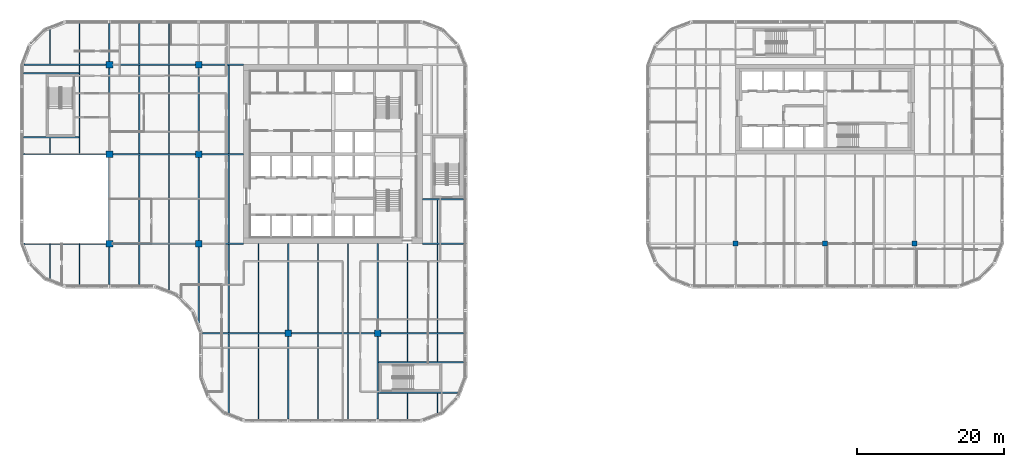
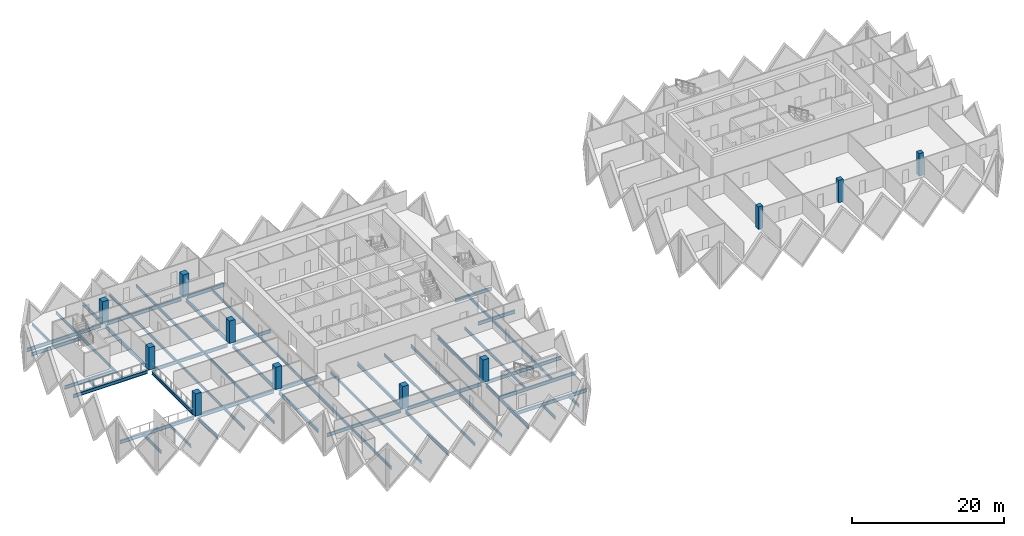
# One storey, part 1 of 19: 60 beams, 11 columns.
"""IFC4 building model written with IfcOpenShell, lengths in metres."""

from ifc_helpers import new_model, si_unit, direction, frame, origin, origin_2d, place, context, subcontext, project, spatial, rectangle, i_section, extrude, material, material_profile, profile_set, type_object, element, save


model = new_model("IFC4")

# Units and contexts
model_context = context("Model", 3, precision=1e-05, world=origin(), true_north=direction((0.0, 1.0)))
body_context = subcontext(model_context, "Body", "Model", "MODEL_VIEW")
ifc_project = project(units=[si_unit("LENGTHUNIT", "METRE"), si_unit("AREAUNIT", "SQUARE_METRE"), si_unit("VOLUMEUNIT", "CUBIC_METRE"), si_unit("PLANEANGLEUNIT", "RADIAN"), si_unit("MASSUNIT", "GRAM", prefix="KILO")], contexts=[model_context])

# Site, building, storey
site_placement = place(None, origin())
site = spatial("IfcSite", under=ifc_project, at=site_placement, CompositionType="ELEMENT")
building_placement = place(site_placement, origin())
building = spatial("IfcBuilding", under=site, at=building_placement, Name="Tessera Gate Towers", CompositionType="ELEMENT")
storey_placement = place(building_placement, frame((0.0, 0.0, 87.60009765625)))
storey = spatial("IfcBuildingStorey", under=building, at=storey_placement, Name="L21", CompositionType="ELEMENT", Elevation=87.60009765625)

# Columns
ifc_material_1 = material(Name="Concrete C70/85", Category="concrete")
ifc_material_profile_1 = material_profile(ifc_material_1, rectangle(XDim=0.699951171875, YDim=0.699951171875, at=origin_2d()), Name="RC 700x700")
ifc_profile_set_1 = profile_set([ifc_material_profile_1], Name="Concrete C70/85")
column_type_1 = type_object("IfcColumnType", Name="COLUMN RC 700x700", PredefinedType="COLUMN", material=ifc_profile_set_1)
for number, where, z_axis, x_axis, name in (
    (1, (97.60009765625, 24.39990234375, 0.0), (0.0, 0.0, 1.0), (1.0, 0.0, 0.0), "T2-COL-9C-L21"),
    (2, (109.800048828125, 24.39990234375, 0.0), (0.0, 0.0, 1.0), (1.0, 0.0, 0.0), "T2-COL-10C-L21"),
    (3, (122.0, 24.39990234375, 0.0), (0.0, 0.0, 1.0), (1.0, 0.0, 0.0), "T2-COL-11C-L21"),
):
    element("IfcColumn", number, at=place(storey_placement, frame(where, z_axis=z_axis, x_axis=x_axis)), inside=storey, type_object=column_type_1, Name=name, PredefinedType="COLUMN", context=body_context, shape_type="SweptSolid", body=[
        extrude(rectangle(XDim=0.699951171875, YDim=0.699951171875, at=origin_2d()), origin(), (0.0, 0.0, 1.0), 3.599853515625),
    ])
ifc_material_2 = material(Name="Concrete C70/85", Category="concrete")
ifc_material_profile_2 = material_profile(ifc_material_2, rectangle(XDim=0.89990234375, YDim=0.89990234375, at=origin_2d()), Name="RC 900x900")
ifc_profile_set_2 = profile_set([ifc_material_profile_2], Name="Concrete C70/85")
column_type_2 = type_object("IfcColumnType", Name="COLUMN RC 900x900", PredefinedType="COLUMN", material=ifc_profile_set_2)
for number, where, z_axis, x_axis, name in (
    (4, (12.199951171875, 24.39990234375, 0.0), (0.0, 0.0, 1.0), (1.0, 0.0, 0.0), "T1-COL-2C-L21"),
    (5, (12.199951171875, 36.60009765625, 0.0), (0.0, 0.0, 1.0), (1.0, 0.0, 0.0), "T1-COL-2D-L21"),
    (6, (12.199951171875, 48.800048828125, 0.0), (0.0, 0.0, 1.0), (1.0, 0.0, 0.0), "T1-COL-2E-L21"),
    (7, (24.39990234375, 24.39990234375, 0.0), (0.0, 0.0, 1.0), (1.0, 0.0, 0.0), "T1-COL-3C-L21"),
    (8, (24.39990234375, 36.60009765625, 0.0), (0.0, 0.0, 1.0), (1.0, 0.0, 0.0), "T1-COL-3D-L21"),
    (9, (24.39990234375, 48.800048828125, 0.0), (0.0, 0.0, 1.0), (1.0, 0.0, 0.0), "T1-COL-3E-L21"),
    (10, (36.60009765625, 12.199951171875, 0.0), (0.0, 0.0, 1.0), (1.0, 0.0, 0.0), "T1-COL-4B-L21"),
    (11, (48.800048828125, 12.199951171875, 0.0), (0.0, 0.0, 1.0), (1.0, 0.0, 0.0), "T1-COL-5B-L21"),
):
    element("IfcColumn", number, at=place(storey_placement, frame(where, z_axis=z_axis, x_axis=x_axis)), inside=storey, type_object=column_type_2, Name=name, PredefinedType="COLUMN", context=body_context, shape_type="SweptSolid", body=[
        extrude(rectangle(XDim=0.89990234375, YDim=0.89990234375, at=origin_2d()), origin(), (0.0, 0.0, 1.0), 3.599853515625),
    ])

# Beams
ifc_material_3 = material(Name="Steel 350W", Category="steel")
ifc_material_profile_3 = material_profile(ifc_material_3, i_section(OverallWidth=0.208984375, OverallDepth=0.532958984375, WebThickness=0.01025390625, FlangeThickness=0.015625, at=origin_2d()), Name="W530x92")
ifc_profile_set_3 = profile_set([ifc_material_profile_3], Name="Steel 350W")
beam_type_1 = type_object("IfcBeamType", Name="FLOOR GIRDER W530x92", PredefinedType="BEAM", material=ifc_profile_set_3)
beam_1_placement = place(storey_placement, frame((24.89892578125, 12.199951171875, -0.466552734375), z_axis=(1.0, 0.0, 0.0), x_axis=(0.0, 1.0, 0.0)))
element("IfcBeam", 12, at=beam_1_placement, inside=storey, type_object=beam_type_1, Name="T1-GD-L21-2820", PredefinedType="BEAM", context=body_context, shape_type="SweptSolid", body=[
    extrude(i_section(OverallWidth=0.208984375, OverallDepth=0.532958984375, WebThickness=0.01025390625, FlangeThickness=0.015625, at=origin_2d()), origin(), (0.0, 0.0, 1.0), 11.2509765625),
])
beam_2_placement = place(storey_placement, frame((37.050048828125, 12.199951171875, -0.466552734375), z_axis=(1.0, 0.0, 0.0), x_axis=(0.0, 1.0, 0.0)))
element("IfcBeam", 13, at=beam_2_placement, inside=storey, type_object=beam_type_1, Name="T1-GD-L21-2821", PredefinedType="BEAM", context=body_context, shape_type="SweptSolid", body=[
    extrude(i_section(OverallWidth=0.208984375, OverallDepth=0.532958984375, WebThickness=0.01025390625, FlangeThickness=0.015625, at=origin_2d()), origin(), (0.0, 0.0, 1.0), 11.300048828125),
])
beam_3_placement = place(storey_placement, frame((49.25, 12.199951171875, -0.466552734375), z_axis=(1.0, 0.0, 0.0), x_axis=(0.0, 1.0, 0.0)))
element("IfcBeam", 14, at=beam_3_placement, inside=storey, type_object=beam_type_1, Name="T1-GD-L21-2822", PredefinedType="BEAM", context=body_context, shape_type="SweptSolid", body=[
    extrude(i_section(OverallWidth=0.208984375, OverallDepth=0.532958984375, WebThickness=0.01025390625, FlangeThickness=0.015625, at=origin_2d()), origin(), (0.0, 0.0, 1.0), 11.2509765625),
])
beam_4_placement = place(storey_placement, frame((0.534912109375, 24.39990234375, -0.466552734375), z_axis=(1.0, 0.0, 0.0), x_axis=(0.0, 1.0, 0.0)))
element("IfcBeam", 15, at=beam_4_placement, inside=storey, type_object=beam_type_1, Name="T1-GD-L21-2823", PredefinedType="BEAM", context=body_context, shape_type="SweptSolid", body=[
    extrude(i_section(OverallWidth=0.208984375, OverallDepth=0.532958984375, WebThickness=0.01025390625, FlangeThickness=0.015625, at=origin_2d()), origin(), (0.0, 0.0, 1.0), 11.215087890625),
])
beam_5_placement = place(storey_placement, frame((12.64990234375, 24.39990234375, -0.466552734375), z_axis=(1.0, 0.0, 0.0), x_axis=(0.0, 1.0, 0.0)))
element("IfcBeam", 16, at=beam_5_placement, inside=storey, type_object=beam_type_1, Name="T1-GD-L21-2824", PredefinedType="BEAM", context=body_context, shape_type="SweptSolid", body=[
    extrude(i_section(OverallWidth=0.208984375, OverallDepth=0.532958984375, WebThickness=0.01025390625, FlangeThickness=0.015625, at=origin_2d()), origin(), (0.0, 0.0, 1.0), 11.300048828125),
])
beam_6_placement = place(storey_placement, frame((24.85009765625, 24.39990234375, -0.466552734375), z_axis=(1.0, 0.0, 0.0), x_axis=(0.0, 1.0, 0.0)))
element("IfcBeam", 17, at=beam_6_placement, inside=storey, type_object=beam_type_1, Name="T1-GD-L21-2825", PredefinedType="BEAM", context=body_context, shape_type="SweptSolid", body=[
    extrude(i_section(OverallWidth=0.208984375, OverallDepth=0.532958984375, WebThickness=0.01025390625, FlangeThickness=0.015625, at=origin_2d()), origin(), (0.0, 0.0, 1.0), 5.64892578125),
])
beam_7_placement = place(storey_placement, frame((54.90087890625, 24.39990234375, -0.466552734375), z_axis=(1.0, 0.0, 0.0), x_axis=(0.0, 1.0, 0.0)))
element("IfcBeam", 18, at=beam_7_placement, inside=storey, type_object=beam_type_1, Name="T1-GD-L21-2826", PredefinedType="BEAM", context=body_context, shape_type="SweptSolid", body=[
    extrude(i_section(OverallWidth=0.208984375, OverallDepth=0.532958984375, WebThickness=0.01025390625, FlangeThickness=0.015625, at=origin_2d()), origin(), (0.0, 0.0, 1.0), 5.60009765625),
])
beam_8_placement = place(storey_placement, frame((0.4990234375, 36.60009765625, -0.466552734375), z_axis=(1.0, 0.0, 0.0), x_axis=(0.0, 1.0, 0.0)))
element("IfcBeam", 19, at=beam_8_placement, inside=storey, type_object=beam_type_1, Name="T1-GD-L21-2827", PredefinedType="BEAM", context=body_context, shape_type="SweptSolid", body=[
    extrude(i_section(OverallWidth=0.208984375, OverallDepth=0.532958984375, WebThickness=0.01025390625, FlangeThickness=0.015625, at=origin_2d()), origin(), (0.0, 0.0, 1.0), 11.2509765625),
])
beam_9_placement = place(storey_placement, frame((12.64990234375, 36.60009765625, -0.466552734375), z_axis=(1.0, 0.0, 0.0), x_axis=(0.0, 1.0, 0.0)))
element("IfcBeam", 20, at=beam_9_placement, inside=storey, type_object=beam_type_1, Name="T1-GD-L21-2828", PredefinedType="BEAM", context=body_context, shape_type="SweptSolid", body=[
    extrude(i_section(OverallWidth=0.208984375, OverallDepth=0.532958984375, WebThickness=0.01025390625, FlangeThickness=0.015625, at=origin_2d()), origin(), (0.0, 0.0, 1.0), 11.300048828125),
])
beam_10_placement = place(storey_placement, frame((24.85009765625, 36.60009765625, -0.466552734375), z_axis=(1.0, 0.0, 0.0), x_axis=(0.0, 1.0, 0.0)))
element("IfcBeam", 21, at=beam_10_placement, inside=storey, type_object=beam_type_1, Name="T1-GD-L21-2829", PredefinedType="BEAM", context=body_context, shape_type="SweptSolid", body=[
    extrude(i_section(OverallWidth=0.208984375, OverallDepth=0.532958984375, WebThickness=0.01025390625, FlangeThickness=0.015625, at=origin_2d()), origin(), (0.0, 0.0, 1.0), 5.65087890625),
])
beam_11_placement = place(storey_placement, frame((0.534912109375, 48.800048828125, -0.466552734375), z_axis=(1.0, 0.0, 0.0), x_axis=(0.0, 1.0, 0.0)))
element("IfcBeam", 22, at=beam_11_placement, inside=storey, type_object=beam_type_1, Name="T1-GD-L21-2831", PredefinedType="BEAM", context=body_context, shape_type="SweptSolid", body=[
    extrude(i_section(OverallWidth=0.208984375, OverallDepth=0.532958984375, WebThickness=0.01025390625, FlangeThickness=0.015625, at=origin_2d()), origin(), (0.0, 0.0, 1.0), 11.215087890625),
])
beam_12_placement = place(storey_placement, frame((12.64990234375, 48.800048828125, -0.466552734375), z_axis=(1.0, 0.0, 0.0), x_axis=(0.0, 1.0, 0.0)))
element("IfcBeam", 23, at=beam_12_placement, inside=storey, type_object=beam_type_1, Name="T1-GD-L21-2832", PredefinedType="BEAM", context=body_context, shape_type="SweptSolid", body=[
    extrude(i_section(OverallWidth=0.208984375, OverallDepth=0.532958984375, WebThickness=0.01025390625, FlangeThickness=0.015625, at=origin_2d()), origin(), (0.0, 0.0, 1.0), 11.300048828125),
])
beam_13_placement = place(storey_placement, frame((24.85009765625, 48.800048828125, -0.466552734375), z_axis=(1.0, 0.0, 0.0), x_axis=(0.0, 1.0, 0.0)))
element("IfcBeam", 24, at=beam_13_placement, inside=storey, type_object=beam_type_1, Name="T1-GD-L21-2833", PredefinedType="BEAM", context=body_context, shape_type="SweptSolid", body=[
    extrude(i_section(OverallWidth=0.208984375, OverallDepth=0.532958984375, WebThickness=0.01025390625, FlangeThickness=0.015625, at=origin_2d()), origin(), (0.0, 0.0, 1.0), 5.64892578125),
])
beam_14_placement = place(storey_placement, frame((12.199951171875, 18.799072265625, -0.466552734375), z_axis=(0.0, 1.0, 0.0), x_axis=(-1.0, 0.0, 0.0)))
element("IfcBeam", 25, at=beam_14_placement, inside=storey, type_object=beam_type_1, Name="T1-GD-L21-2835", PredefinedType="BEAM", context=body_context, shape_type="SweptSolid", body=[
    extrude(i_section(OverallWidth=0.208984375, OverallDepth=0.532958984375, WebThickness=0.01025390625, FlangeThickness=0.015625, at=origin_2d()), origin(), (0.0, 0.0, 1.0), 5.15087890625),
])
beam_15_placement = place(storey_placement, frame((12.199951171875, 24.85009765625, -0.466552734375), z_axis=(0.0, 1.0, 0.0), x_axis=(-1.0, 0.0, 0.0)))
element("IfcBeam", 26, at=beam_15_placement, inside=storey, type_object=beam_type_1, Name="T1-GD-L21-2836", PredefinedType="BEAM", context=body_context, shape_type="SweptSolid", body=[
    extrude(i_section(OverallWidth=0.208984375, OverallDepth=0.532958984375, WebThickness=0.01025390625, FlangeThickness=0.015625, at=origin_2d()), origin(), (0.0, 0.0, 1.0), 11.2998046875),
])
beam_16_placement = place(storey_placement, frame((12.199951171875, 37.050048828125, -0.466552734375), z_axis=(0.0, 1.0, 0.0), x_axis=(-1.0, 0.0, 0.0)))
element("IfcBeam", 27, at=beam_16_placement, inside=storey, type_object=beam_type_1, Name="T1-GD-L21-2837", PredefinedType="BEAM", context=body_context, shape_type="SweptSolid", body=[
    extrude(i_section(OverallWidth=0.208984375, OverallDepth=0.532958984375, WebThickness=0.01025390625, FlangeThickness=0.015625, at=origin_2d()), origin(), (0.0, 0.0, 1.0), 11.300048828125),
])
beam_17_placement = place(storey_placement, frame((12.199951171875, 49.25, -0.466552734375), z_axis=(0.0, 1.0, 0.0), x_axis=(-1.0, 0.0, 0.0)))
element("IfcBeam", 28, at=beam_17_placement, inside=storey, type_object=beam_type_1, Name="T1-GD-L21-2838", PredefinedType="BEAM", context=body_context, shape_type="SweptSolid", body=[
    extrude(i_section(OverallWidth=0.208984375, OverallDepth=0.532958984375, WebThickness=0.01025390625, FlangeThickness=0.015625, at=origin_2d()), origin(), (0.0, 0.0, 1.0), 5.15087890625),
])
beam_18_placement = place(storey_placement, frame((24.39990234375, 13.58642578125, -0.466552734375), z_axis=(0.0, 1.0, 0.0), x_axis=(-1.0, 0.0, 0.0)))
element("IfcBeam", 29, at=beam_18_placement, inside=storey, type_object=beam_type_1, Name="T1-GD-L21-2839", PredefinedType="BEAM", context=body_context, shape_type="SweptSolid", body=[
    extrude(i_section(OverallWidth=0.208984375, OverallDepth=0.532958984375, WebThickness=0.01025390625, FlangeThickness=0.015625, at=origin_2d()), origin(), (0.0, 0.0, 1.0), 10.363525390625),
])
beam_19_placement = place(storey_placement, frame((24.39990234375, 24.85009765625, -0.466552734375), z_axis=(0.0, 1.0, 0.0), x_axis=(-1.0, 0.0, 0.0)))
element("IfcBeam", 30, at=beam_19_placement, inside=storey, type_object=beam_type_1, Name="T1-GD-L21-2840", PredefinedType="BEAM", context=body_context, shape_type="SweptSolid", body=[
    extrude(i_section(OverallWidth=0.208984375, OverallDepth=0.532958984375, WebThickness=0.01025390625, FlangeThickness=0.015625, at=origin_2d()), origin(), (0.0, 0.0, 1.0), 11.2998046875),
])
beam_20_placement = place(storey_placement, frame((24.39990234375, 37.050048828125, -0.466552734375), z_axis=(0.0, 1.0, 0.0), x_axis=(-1.0, 0.0, 0.0)))
element("IfcBeam", 31, at=beam_20_placement, inside=storey, type_object=beam_type_1, Name="T1-GD-L21-2841", PredefinedType="BEAM", context=body_context, shape_type="SweptSolid", body=[
    extrude(i_section(OverallWidth=0.208984375, OverallDepth=0.532958984375, WebThickness=0.01025390625, FlangeThickness=0.015625, at=origin_2d()), origin(), (0.0, 0.0, 1.0), 11.300048828125),
])
beam_21_placement = place(storey_placement, frame((36.60009765625, 0.4990234375, -0.466552734375), z_axis=(0.0, 1.0, 0.0), x_axis=(-1.0, 0.0, 0.0)))
element("IfcBeam", 32, at=beam_21_placement, inside=storey, type_object=beam_type_1, Name="T1-GD-L21-2843", PredefinedType="BEAM", context=body_context, shape_type="SweptSolid", body=[
    extrude(i_section(OverallWidth=0.208984375, OverallDepth=0.532958984375, WebThickness=0.01025390625, FlangeThickness=0.015625, at=origin_2d()), origin(), (0.0, 0.0, 1.0), 11.2509765625),
])
beam_22_placement = place(storey_placement, frame((36.60009765625, 12.64990234375, -0.466552734375), z_axis=(0.0, 1.0, 0.0), x_axis=(-1.0, 0.0, 0.0)))
element("IfcBeam", 33, at=beam_22_placement, inside=storey, type_object=beam_type_1, Name="T1-GD-L21-2844", PredefinedType="BEAM", context=body_context, shape_type="SweptSolid", body=[
    extrude(i_section(OverallWidth=0.208984375, OverallDepth=0.532958984375, WebThickness=0.01025390625, FlangeThickness=0.015625, at=origin_2d()), origin(), (0.0, 0.0, 1.0), 11.75),
])
beam_23_placement = place(storey_placement, frame((48.800048828125, 0.4990234375, -0.466552734375), z_axis=(0.0, 1.0, 0.0), x_axis=(-1.0, 0.0, 0.0)))
element("IfcBeam", 34, at=beam_23_placement, inside=storey, type_object=beam_type_1, Name="T1-GD-L21-2845", PredefinedType="BEAM", context=body_context, shape_type="SweptSolid", body=[
    extrude(i_section(OverallWidth=0.208984375, OverallDepth=0.532958984375, WebThickness=0.01025390625, FlangeThickness=0.015625, at=origin_2d()), origin(), (0.0, 0.0, 1.0), 11.2509765625),
])
beam_24_placement = place(storey_placement, frame((48.800048828125, 12.64990234375, -0.466552734375), z_axis=(0.0, 1.0, 0.0), x_axis=(-1.0, 0.0, 0.0)))
element("IfcBeam", 35, at=beam_24_placement, inside=storey, type_object=beam_type_1, Name="T1-GD-L21-2846", PredefinedType="BEAM", context=body_context, shape_type="SweptSolid", body=[
    extrude(i_section(OverallWidth=0.208984375, OverallDepth=0.532958984375, WebThickness=0.01025390625, FlangeThickness=0.015625, at=origin_2d()), origin(), (0.0, 0.0, 1.0), 11.75),
])
for number, where, z_axis, x_axis, name in (
    (36, (0.4990234375, 38.8798828125, -0.466552734375), (1.0, 0.0, 0.0), (0.0, 1.0, 0.0), "T1-GD-L21-2847"),
    (37, (0.4990234375, 47.6201171875, -0.466552734375), (1.0, 0.0, 0.0), (0.0, 1.0, 0.0), "T1-GD-L21-2848"),
):
    element("IfcBeam", number, at=place(storey_placement, frame(where, z_axis=z_axis, x_axis=x_axis)), inside=storey, type_object=beam_type_1, Name=name, PredefinedType="BEAM", context=body_context, shape_type="SweptSolid", body=[
        extrude(i_section(OverallWidth=0.208984375, OverallDepth=0.532958984375, WebThickness=0.01025390625, FlangeThickness=0.015625, at=origin_2d()), origin(), (0.0, 0.0, 1.0), 7.557861328125),
    ])
beam_25_placement = place(storey_placement, frame((48.87646484375, 4.080078125, -0.466552734375), z_axis=(1.0, 0.0, 0.0), x_axis=(0.0, 1.0, 0.0)))
element("IfcBeam", 38, at=beam_25_placement, inside=storey, type_object=beam_type_1, Name="T1-GD-L21-2849", PredefinedType="BEAM", context=body_context, shape_type="SweptSolid", body=[
    extrude(i_section(OverallWidth=0.208984375, OverallDepth=0.532958984375, WebThickness=0.01025390625, FlangeThickness=0.015625, at=origin_2d()), origin(), (0.0, 0.0, 1.0), 10.809326171875),
])
beam_26_placement = place(storey_placement, frame((48.87646484375, 8.219970703125, -0.466552734375), z_axis=(1.0, 0.0, 0.0), x_axis=(0.0, 1.0, 0.0)))
element("IfcBeam", 39, at=beam_26_placement, inside=storey, type_object=beam_type_1, Name="T1-GD-L21-2850", PredefinedType="BEAM", context=body_context, shape_type="SweptSolid", body=[
    extrude(i_section(OverallWidth=0.208984375, OverallDepth=0.532958984375, WebThickness=0.01025390625, FlangeThickness=0.015625, at=origin_2d()), origin(), (0.0, 0.0, 1.0), 11.62451171875),
])
beam_27_placement = place(storey_placement, frame((54.89892578125, 30.47998046875, -0.466552734375), z_axis=(1.0, 0.0, 0.0), x_axis=(0.0, 1.0, 0.0)))
element("IfcBeam", 40, at=beam_27_placement, inside=storey, type_object=beam_type_1, Name="T1-GD-L21-2851", PredefinedType="BEAM", context=body_context, shape_type="SweptSolid", body=[
    extrude(i_section(OverallWidth=0.208984375, OverallDepth=0.532958984375, WebThickness=0.01025390625, FlangeThickness=0.015625, at=origin_2d()), origin(), (0.0, 0.0, 1.0), 5.60205078125),
])
ifc_material_4 = material(Name="Steel 350W", Category="steel")
ifc_material_profile_4 = material_profile(ifc_material_4, i_section(OverallWidth=0.153076171875, OverallDepth=0.455078125, WebThickness=0.008056640625, FlangeThickness=0.01318359375, at=origin_2d()), Name="W460x60")
ifc_profile_set_4 = profile_set([ifc_material_profile_4], Name="Steel 350W")
beam_type_2 = type_object("IfcBeamType", Name="FLOOR SECONDARY W460x60", PredefinedType="BEAM", material=ifc_profile_set_4)
beam_28_placement = place(storey_placement, frame((4.066650390625, 19.620361328125, -0.427490234375), z_axis=(0.0, 1.0, 0.0), x_axis=(-1.0, 0.0, 0.0)))
element("IfcBeam", 41, at=beam_28_placement, inside=storey, type_object=beam_type_2, Name="T1-BM-L21-2854", PredefinedType="BEAM", context=body_context, shape_type="SweptSolid", body=[
    extrude(i_section(OverallWidth=0.153076171875, OverallDepth=0.455078125, WebThickness=0.008056640625, FlangeThickness=0.01318359375, at=origin_2d()), origin(), (0.0, 0.0, 1.0), 4.779541015625),
])
beam_29_placement = place(storey_placement, frame((4.066650390625, 36.70458984375, -0.427490234375), z_axis=(0.0, 1.0, 0.0), x_axis=(-1.0, 0.0, 0.0)))
element("IfcBeam", 42, at=beam_29_placement, inside=storey, type_object=beam_type_2, Name="T1-BM-L21-2855", PredefinedType="BEAM", context=body_context, shape_type="SweptSolid", body=[
    extrude(i_section(OverallWidth=0.153076171875, OverallDepth=0.455078125, WebThickness=0.008056640625, FlangeThickness=0.01318359375, at=origin_2d()), origin(), (0.0, 0.0, 1.0), 2.07080078125),
])
beam_30_placement = place(storey_placement, frame((4.066650390625, 48.904541015625, -0.427490234375), z_axis=(0.0, 1.0, 0.0), x_axis=(-1.0, 0.0, 0.0)))
element("IfcBeam", 43, at=beam_30_placement, inside=storey, type_object=beam_type_2, Name="T1-BM-L21-2856", PredefinedType="BEAM", context=body_context, shape_type="SweptSolid", body=[
    extrude(i_section(OverallWidth=0.153076171875, OverallDepth=0.455078125, WebThickness=0.008056640625, FlangeThickness=0.01318359375, at=origin_2d()), origin(), (0.0, 0.0, 1.0), 4.675048828125),
])
beam_31_placement = place(storey_placement, frame((8.13330078125, 18.800048828125, -0.427490234375), z_axis=(0.0, 1.0, 0.0), x_axis=(-1.0, 0.0, 0.0)))
element("IfcBeam", 44, at=beam_31_placement, inside=storey, type_object=beam_type_2, Name="T1-BM-L21-2857", PredefinedType="BEAM", context=body_context, shape_type="SweptSolid", body=[
    extrude(i_section(OverallWidth=0.153076171875, OverallDepth=0.455078125, WebThickness=0.008056640625, FlangeThickness=0.01318359375, at=origin_2d()), origin(), (0.0, 0.0, 1.0), 5.599853515625),
])
beam_32_placement = place(storey_placement, frame((8.13330078125, 36.70458984375, -0.427490234375), z_axis=(0.0, 1.0, 0.0), x_axis=(-1.0, 0.0, 0.0)))
element("IfcBeam", 45, at=beam_32_placement, inside=storey, type_object=beam_type_2, Name="T1-BM-L21-2858", PredefinedType="BEAM", context=body_context, shape_type="SweptSolid", body=[
    extrude(i_section(OverallWidth=0.153076171875, OverallDepth=0.455078125, WebThickness=0.008056640625, FlangeThickness=0.01318359375, at=origin_2d()), origin(), (0.0, 0.0, 1.0), 11.990966796875),
])
for number, where, z_axis, x_axis, name in (
    (46, (8.13330078125, 48.904541015625, -0.427490234375), (0.0, 1.0, 0.0), (-1.0, 0.0, 0.0), "T1-BM-L21-2859"),
    (47, (16.2666015625, 18.800048828125, -0.427490234375), (0.0, 1.0, 0.0), (-1.0, 0.0, 0.0), "T1-BM-L21-2860"),
):
    element("IfcBeam", number, at=place(storey_placement, frame(where, z_axis=z_axis, x_axis=x_axis)), inside=storey, type_object=beam_type_2, Name=name, PredefinedType="BEAM", context=body_context, shape_type="SweptSolid", body=[
        extrude(i_section(OverallWidth=0.153076171875, OverallDepth=0.455078125, WebThickness=0.008056640625, FlangeThickness=0.01318359375, at=origin_2d()), origin(), (0.0, 0.0, 1.0), 5.495361328125),
    ])
beam_33_placement = place(storey_placement, frame((16.2666015625, 24.50439453125, -0.427490234375), z_axis=(0.0, 1.0, 0.0), x_axis=(-1.0, 0.0, 0.0)))
element("IfcBeam", 48, at=beam_33_placement, inside=storey, type_object=beam_type_2, Name="T1-BM-L21-2861", PredefinedType="BEAM", context=body_context, shape_type="SweptSolid", body=[
    extrude(i_section(OverallWidth=0.153076171875, OverallDepth=0.455078125, WebThickness=0.008056640625, FlangeThickness=0.01318359375, at=origin_2d()), origin(), (0.0, 0.0, 1.0), 11.9912109375),
])
beam_34_placement = place(storey_placement, frame((16.2666015625, 36.70458984375, -0.427490234375), z_axis=(0.0, 1.0, 0.0), x_axis=(-1.0, 0.0, 0.0)))
element("IfcBeam", 49, at=beam_34_placement, inside=storey, type_object=beam_type_2, Name="T1-BM-L21-2862", PredefinedType="BEAM", context=body_context, shape_type="SweptSolid", body=[
    extrude(i_section(OverallWidth=0.153076171875, OverallDepth=0.455078125, WebThickness=0.008056640625, FlangeThickness=0.01318359375, at=origin_2d()), origin(), (0.0, 0.0, 1.0), 11.990966796875),
])
beam_35_placement = place(storey_placement, frame((16.2666015625, 48.904541015625, -0.427490234375), z_axis=(0.0, 1.0, 0.0), x_axis=(-1.0, 0.0, 0.0)))
element("IfcBeam", 50, at=beam_35_placement, inside=storey, type_object=beam_type_2, Name="T1-BM-L21-2863", PredefinedType="BEAM", context=body_context, shape_type="SweptSolid", body=[
    extrude(i_section(OverallWidth=0.153076171875, OverallDepth=0.455078125, WebThickness=0.008056640625, FlangeThickness=0.01318359375, at=origin_2d()), origin(), (0.0, 0.0, 1.0), 5.495361328125),
])
beam_36_placement = place(storey_placement, frame((20.333251953125, 18.051513671875, -0.427490234375), z_axis=(0.0, 1.0, 0.0), x_axis=(-1.0, 0.0, 0.0)))
element("IfcBeam", 51, at=beam_36_placement, inside=storey, type_object=beam_type_2, Name="T1-BM-L21-2864", PredefinedType="BEAM", context=body_context, shape_type="SweptSolid", body=[
    extrude(i_section(OverallWidth=0.153076171875, OverallDepth=0.455078125, WebThickness=0.008056640625, FlangeThickness=0.01318359375, at=origin_2d()), origin(), (0.0, 0.0, 1.0), 6.243896484375),
])
beam_37_placement = place(storey_placement, frame((20.333251953125, 24.50439453125, -0.427490234375), z_axis=(0.0, 1.0, 0.0), x_axis=(-1.0, 0.0, 0.0)))
element("IfcBeam", 52, at=beam_37_placement, inside=storey, type_object=beam_type_2, Name="T1-BM-L21-2865", PredefinedType="BEAM", context=body_context, shape_type="SweptSolid", body=[
    extrude(i_section(OverallWidth=0.153076171875, OverallDepth=0.455078125, WebThickness=0.008056640625, FlangeThickness=0.01318359375, at=origin_2d()), origin(), (0.0, 0.0, 1.0), 11.9912109375),
])
beam_38_placement = place(storey_placement, frame((20.333251953125, 36.70458984375, -0.427490234375), z_axis=(0.0, 1.0, 0.0), x_axis=(-1.0, 0.0, 0.0)))
element("IfcBeam", 53, at=beam_38_placement, inside=storey, type_object=beam_type_2, Name="T1-BM-L21-2866", PredefinedType="BEAM", context=body_context, shape_type="SweptSolid", body=[
    extrude(i_section(OverallWidth=0.153076171875, OverallDepth=0.455078125, WebThickness=0.008056640625, FlangeThickness=0.01318359375, at=origin_2d()), origin(), (0.0, 0.0, 1.0), 11.990966796875),
])
beam_39_placement = place(storey_placement, frame((20.333251953125, 48.904541015625, -0.427490234375), z_axis=(0.0, 1.0, 0.0), x_axis=(-1.0, 0.0, 0.0)))
element("IfcBeam", 54, at=beam_39_placement, inside=storey, type_object=beam_type_2, Name="T1-BM-L21-2867", PredefinedType="BEAM", context=body_context, shape_type="SweptSolid", body=[
    extrude(i_section(OverallWidth=0.153076171875, OverallDepth=0.455078125, WebThickness=0.008056640625, FlangeThickness=0.01318359375, at=origin_2d()), origin(), (0.0, 0.0, 1.0), 5.495361328125),
])
beam_40_placement = place(storey_placement, frame((28.466796875, 1.3203125, -0.427490234375), z_axis=(0.0, 1.0, 0.0), x_axis=(-1.0, 0.0, 0.0)))
element("IfcBeam", 55, at=beam_40_placement, inside=storey, type_object=beam_type_2, Name="T1-BM-L21-2868", PredefinedType="BEAM", context=body_context, shape_type="SweptSolid", body=[
    extrude(i_section(OverallWidth=0.153076171875, OverallDepth=0.455078125, WebThickness=0.008056640625, FlangeThickness=0.01318359375, at=origin_2d()), origin(), (0.0, 0.0, 1.0), 10.775146484375),
])
beam_41_placement = place(storey_placement, frame((28.466796875, 12.304443359375, -0.427490234375), z_axis=(0.0, 1.0, 0.0), x_axis=(-1.0, 0.0, 0.0)))
element("IfcBeam", 56, at=beam_41_placement, inside=storey, type_object=beam_type_2, Name="T1-BM-L21-2869", PredefinedType="BEAM", context=body_context, shape_type="SweptSolid", body=[
    extrude(i_section(OverallWidth=0.153076171875, OverallDepth=0.455078125, WebThickness=0.008056640625, FlangeThickness=0.01318359375, at=origin_2d()), origin(), (0.0, 0.0, 1.0), 11.990966796875),
])
beam_42_placement = place(storey_placement, frame((28.466796875, 24.50439453125, -0.427490234375), z_axis=(0.0, 1.0, 0.0), x_axis=(-1.0, 0.0, 0.0)))
element("IfcBeam", 57, at=beam_42_placement, inside=storey, type_object=beam_type_2, Name="T1-BM-L21-2870", PredefinedType="BEAM", context=body_context, shape_type="SweptSolid", body=[
    extrude(i_section(OverallWidth=0.153076171875, OverallDepth=0.455078125, WebThickness=0.008056640625, FlangeThickness=0.01318359375, at=origin_2d()), origin(), (0.0, 0.0, 1.0), 11.9912109375),
])
beam_43_placement = place(storey_placement, frame((28.466796875, 36.70458984375, -0.427490234375), z_axis=(0.0, 1.0, 0.0), x_axis=(-1.0, 0.0, 0.0)))
element("IfcBeam", 58, at=beam_43_placement, inside=storey, type_object=beam_type_2, Name="T1-BM-L21-2871", PredefinedType="BEAM", context=body_context, shape_type="SweptSolid", body=[
    extrude(i_section(OverallWidth=0.153076171875, OverallDepth=0.455078125, WebThickness=0.008056640625, FlangeThickness=0.01318359375, at=origin_2d()), origin(), (0.0, 0.0, 1.0), 11.990966796875),
])
beam_44_placement = place(storey_placement, frame((32.533203125, 0.5, -0.427490234375), z_axis=(0.0, 1.0, 0.0), x_axis=(-1.0, 0.0, 0.0)))
element("IfcBeam", 59, at=beam_44_placement, inside=storey, type_object=beam_type_2, Name="T1-BM-L21-2873", PredefinedType="BEAM", context=body_context, shape_type="SweptSolid", body=[
    extrude(i_section(OverallWidth=0.153076171875, OverallDepth=0.455078125, WebThickness=0.008056640625, FlangeThickness=0.01318359375, at=origin_2d()), origin(), (0.0, 0.0, 1.0), 11.595458984375),
])
beam_45_placement = place(storey_placement, frame((32.533203125, 12.304443359375, -0.427490234375), z_axis=(0.0, 1.0, 0.0), x_axis=(-1.0, 0.0, 0.0)))
element("IfcBeam", 60, at=beam_45_placement, inside=storey, type_object=beam_type_2, Name="T1-BM-L21-2874", PredefinedType="BEAM", context=body_context, shape_type="SweptSolid", body=[
    extrude(i_section(OverallWidth=0.153076171875, OverallDepth=0.455078125, WebThickness=0.008056640625, FlangeThickness=0.01318359375, at=origin_2d()), origin(), (0.0, 0.0, 1.0), 12.095458984375),
])
beam_46_placement = place(storey_placement, frame((40.666748046875, 0.5, -0.427490234375), z_axis=(0.0, 1.0, 0.0), x_axis=(-1.0, 0.0, 0.0)))
element("IfcBeam", 61, at=beam_46_placement, inside=storey, type_object=beam_type_2, Name="T1-BM-L21-2877", PredefinedType="BEAM", context=body_context, shape_type="SweptSolid", body=[
    extrude(i_section(OverallWidth=0.153076171875, OverallDepth=0.455078125, WebThickness=0.008056640625, FlangeThickness=0.01318359375, at=origin_2d()), origin(), (0.0, 0.0, 1.0), 11.595458984375),
])
beam_47_placement = place(storey_placement, frame((40.666748046875, 12.304443359375, -0.427490234375), z_axis=(0.0, 1.0, 0.0), x_axis=(-1.0, 0.0, 0.0)))
element("IfcBeam", 62, at=beam_47_placement, inside=storey, type_object=beam_type_2, Name="T1-BM-L21-2878", PredefinedType="BEAM", context=body_context, shape_type="SweptSolid", body=[
    extrude(i_section(OverallWidth=0.153076171875, OverallDepth=0.455078125, WebThickness=0.008056640625, FlangeThickness=0.01318359375, at=origin_2d()), origin(), (0.0, 0.0, 1.0), 12.095458984375),
])
beam_48_placement = place(storey_placement, frame((44.7333984375, 0.5, -0.427490234375), z_axis=(0.0, 1.0, 0.0), x_axis=(-1.0, 0.0, 0.0)))
element("IfcBeam", 63, at=beam_48_placement, inside=storey, type_object=beam_type_2, Name="T1-BM-L21-2880", PredefinedType="BEAM", context=body_context, shape_type="SweptSolid", body=[
    extrude(i_section(OverallWidth=0.153076171875, OverallDepth=0.455078125, WebThickness=0.008056640625, FlangeThickness=0.01318359375, at=origin_2d()), origin(), (0.0, 0.0, 1.0), 11.595458984375),
])
beam_49_placement = place(storey_placement, frame((44.7333984375, 12.304443359375, -0.427490234375), z_axis=(0.0, 1.0, 0.0), x_axis=(-1.0, 0.0, 0.0)))
element("IfcBeam", 64, at=beam_49_placement, inside=storey, type_object=beam_type_2, Name="T1-BM-L21-2881", PredefinedType="BEAM", context=body_context, shape_type="SweptSolid", body=[
    extrude(i_section(OverallWidth=0.153076171875, OverallDepth=0.455078125, WebThickness=0.008056640625, FlangeThickness=0.01318359375, at=origin_2d()), origin(), (0.0, 0.0, 1.0), 12.095458984375),
])
beam_50_placement = place(storey_placement, frame((52.86669921875, 0.5, -0.427490234375), z_axis=(0.0, 1.0, 0.0), x_axis=(-1.0, 0.0, 0.0)))
element("IfcBeam", 65, at=beam_50_placement, inside=storey, type_object=beam_type_2, Name="T1-BM-L21-2884", PredefinedType="BEAM", context=body_context, shape_type="SweptSolid", body=[
    extrude(i_section(OverallWidth=0.153076171875, OverallDepth=0.455078125, WebThickness=0.008056640625, FlangeThickness=0.01318359375, at=origin_2d()), origin(), (0.0, 0.0, 1.0), 3.4755859375),
])
beam_51_placement = place(storey_placement, frame((52.86669921875, 8.324462890625, -0.427490234375), z_axis=(0.0, 1.0, 0.0), x_axis=(-1.0, 0.0, 0.0)))
element("IfcBeam", 66, at=beam_51_placement, inside=storey, type_object=beam_type_2, Name="T1-BM-L21-2885", PredefinedType="BEAM", context=body_context, shape_type="SweptSolid", body=[
    extrude(i_section(OverallWidth=0.153076171875, OverallDepth=0.455078125, WebThickness=0.008056640625, FlangeThickness=0.01318359375, at=origin_2d()), origin(), (0.0, 0.0, 1.0), 3.77099609375),
])
beam_52_placement = place(storey_placement, frame((52.86669921875, 12.304443359375, -0.427490234375), z_axis=(0.0, 1.0, 0.0), x_axis=(-1.0, 0.0, 0.0)))
element("IfcBeam", 67, at=beam_52_placement, inside=storey, type_object=beam_type_2, Name="T1-BM-L21-2886", PredefinedType="BEAM", context=body_context, shape_type="SweptSolid", body=[
    extrude(i_section(OverallWidth=0.153076171875, OverallDepth=0.455078125, WebThickness=0.008056640625, FlangeThickness=0.01318359375, at=origin_2d()), origin(), (0.0, 0.0, 1.0), 12.095458984375),
])
beam_53_placement = place(storey_placement, frame((56.933349609375, 1.3203125, -0.427490234375), z_axis=(0.0, 1.0, 0.0), x_axis=(-1.0, 0.0, 0.0)))
element("IfcBeam", 68, at=beam_53_placement, inside=storey, type_object=beam_type_2, Name="T1-BM-L21-2888", PredefinedType="BEAM", context=body_context, shape_type="SweptSolid", body=[
    extrude(i_section(OverallWidth=0.153076171875, OverallDepth=0.455078125, WebThickness=0.008056640625, FlangeThickness=0.01318359375, at=origin_2d()), origin(), (0.0, 0.0, 1.0), 2.6552734375),
])
beam_54_placement = place(storey_placement, frame((56.933349609375, 8.324462890625, -0.427490234375), z_axis=(0.0, 1.0, 0.0), x_axis=(-1.0, 0.0, 0.0)))
element("IfcBeam", 69, at=beam_54_placement, inside=storey, type_object=beam_type_2, Name="T1-BM-L21-2889", PredefinedType="BEAM", context=body_context, shape_type="SweptSolid", body=[
    extrude(i_section(OverallWidth=0.153076171875, OverallDepth=0.455078125, WebThickness=0.008056640625, FlangeThickness=0.01318359375, at=origin_2d()), origin(), (0.0, 0.0, 1.0), 3.77099609375),
])
beam_55_placement = place(storey_placement, frame((56.933349609375, 12.304443359375, -0.427490234375), z_axis=(0.0, 1.0, 0.0), x_axis=(-1.0, 0.0, 0.0)))
element("IfcBeam", 70, at=beam_55_placement, inside=storey, type_object=beam_type_2, Name="T1-BM-L21-2890", PredefinedType="BEAM", context=body_context, shape_type="SweptSolid", body=[
    extrude(i_section(OverallWidth=0.153076171875, OverallDepth=0.455078125, WebThickness=0.008056640625, FlangeThickness=0.01318359375, at=origin_2d()), origin(), (0.0, 0.0, 1.0), 11.990966796875),
])
beam_56_placement = place(storey_placement, frame((56.933349609375, 24.50439453125, -0.427490234375), z_axis=(0.0, 1.0, 0.0), x_axis=(-1.0, 0.0, 0.0)))
element("IfcBeam", 71, at=beam_56_placement, inside=storey, type_object=beam_type_2, Name="T1-BM-L21-2891", PredefinedType="BEAM", context=body_context, shape_type="SweptSolid", body=[
    extrude(i_section(OverallWidth=0.153076171875, OverallDepth=0.455078125, WebThickness=0.008056640625, FlangeThickness=0.01318359375, at=origin_2d()), origin(), (0.0, 0.0, 1.0), 5.87109375),
])

save(model, "model.ifc")
